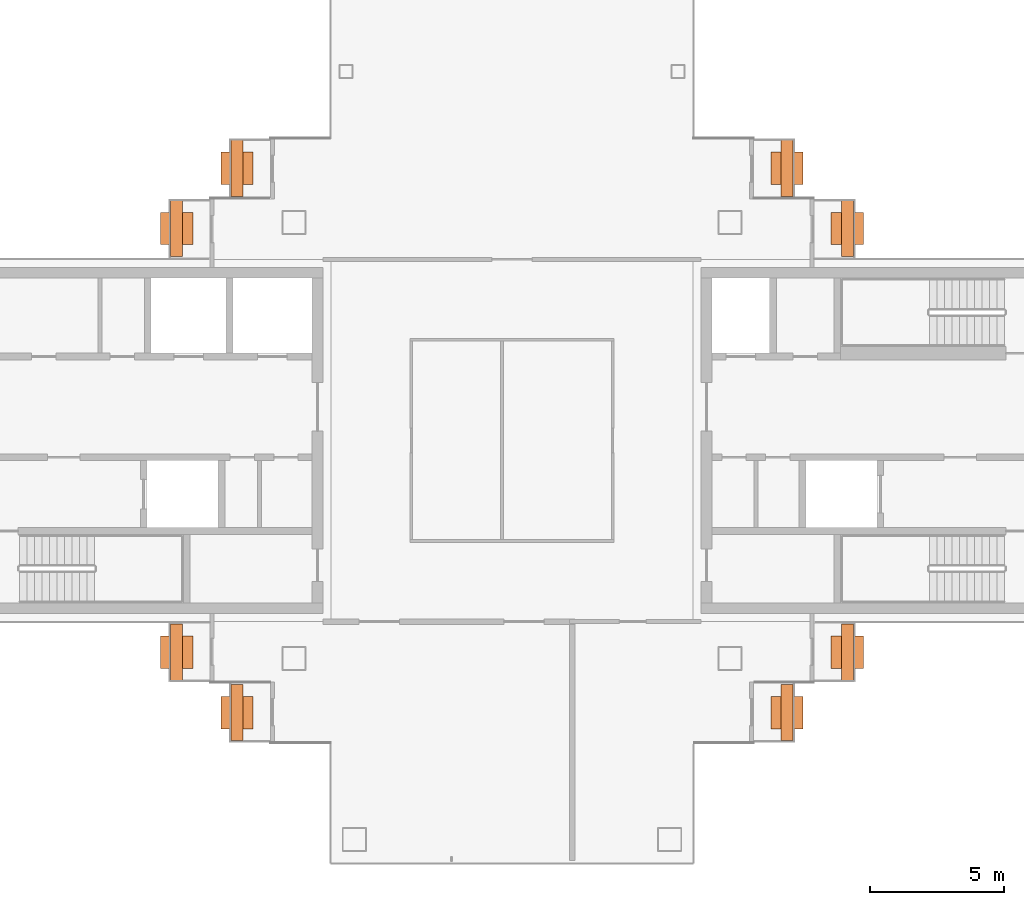
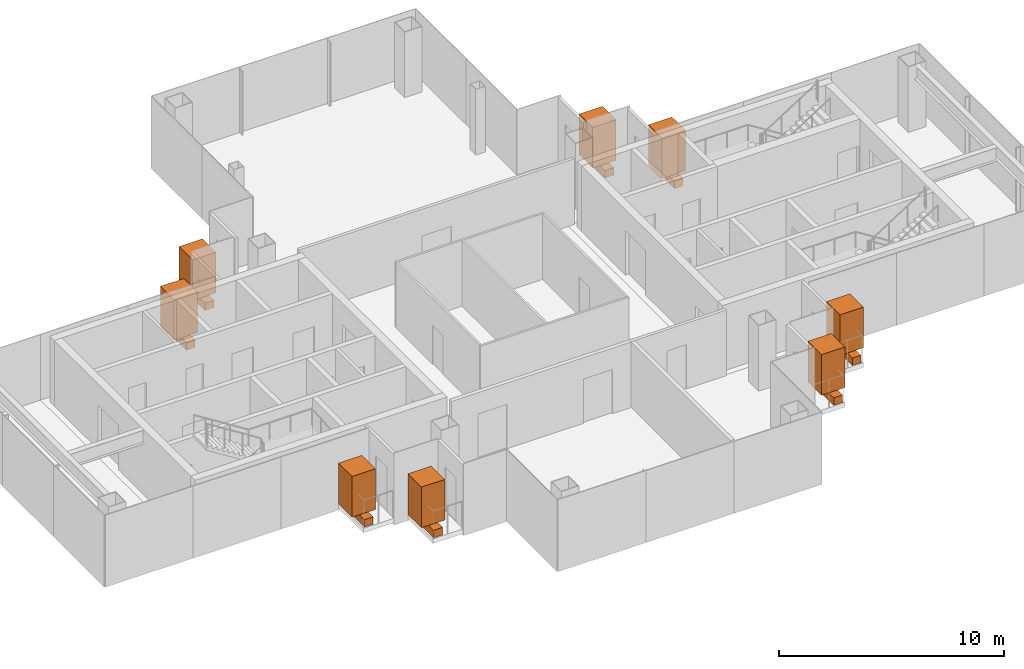
# One storey, part 16 of 16: 8 geographic elements, 8 proxies.
"""IFC4 building model written with IfcOpenShell, lengths in metres."""

from ifc_helpers import new_model, si_unit, direction, frame, origin, origin_2d, place, context, subcontext, project, spatial, rectangle, extrude, material, type_object, element, save


model = new_model("IFC4")

# Units and contexts
model_context = context("Model", 3, precision=1e-05, world=origin(), true_north=direction((0.0, 1.0)))
body_context = subcontext(model_context, "Body", "Model", "MODEL_VIEW")
ifc_project = project(units=[si_unit("LENGTHUNIT", "METRE"), si_unit("AREAUNIT", "SQUARE_METRE"), si_unit("VOLUMEUNIT", "CUBIC_METRE"), si_unit("PLANEANGLEUNIT", "RADIAN"), si_unit("MASSUNIT", "GRAM", prefix="KILO")], contexts=[model_context])

# Site, building, storey
site_placement = place(None, origin())
site = spatial("IfcSite", under=ifc_project, at=site_placement, CompositionType="ELEMENT")
building_placement = place(site_placement, origin())
building = spatial("IfcBuilding", under=site, at=building_placement, Name="Shamsa Quay Exchange Towers", CompositionType="ELEMENT")
storey_placement = place(building_placement, frame((0.0, 0.0, 242.10009765625)))
storey = spatial("IfcBuildingStorey", under=building, at=storey_placement, Name="L58", CompositionType="ELEMENT", Elevation=242.10009765625)

# Proxies
ifc_material_1 = material(Name="Reinforced concrete C30/37, black glass-fibre faced", Category="concrete")
building_element_proxy_type = type_object("IfcBuildingElementProxyType", Name="BALCONY PLANTER", PredefinedType="USERDEFINED", material=ifc_material_1)
for number, where, z_axis, x_axis, name in (
    (1, (23.5048828125, 10.14404296875, 0.0), (0.0, 0.0, 1.0), (0.0, -1.0, 0.0), "PLANTER T2-PKEN L58"),
    (2, (21.2548828125, 7.89404296875, 0.0), (0.0, 0.0, 1.0), (0.0, -1.0, 0.0), "PLANTER T2-PKEN L58"),
    (3, (43.9951171875, 10.14404296875, 0.0), (0.0, 0.0, 1.0), (0.0, 1.0, 0.0), "PLANTER T2-PKES L58"),
    (4, (46.2451171875, 7.89404296875, 0.0), (0.0, 0.0, 1.0), (0.0, 1.0, 0.0), "PLANTER T2-PKES L58"),
    (5, (21.2548828125, -7.89404296875, 0.0), (0.0, 0.0, 1.0), (0.0, -1.0, 0.0), "PLANTER T2-PKWN L58"),
    (6, (23.5048828125, -10.14404296875, 0.0), (0.0, 0.0, 1.0), (0.0, -1.0, 0.0), "PLANTER T2-PKWN L58"),
    (7, (43.9951171875, -10.14404296875, 0.0), (0.0, 0.0, 1.0), (0.0, 1.0, 0.0), "PLANTER T2-PKWS L58"),
    (8, (46.2451171875, -7.89404296875, 0.0), (0.0, 0.0, 1.0), (0.0, 1.0, 0.0), "PLANTER T2-PKWS L58"),
):
    element("IfcBuildingElementProxy", number, at=place(storey_placement, frame(where, z_axis=z_axis, x_axis=x_axis)), inside=storey, type_object=building_element_proxy_type, Name=name, ObjectType="PLANTER", PredefinedType="USERDEFINED", context=body_context, shape_type="SweptSolid", body=[
        extrude(rectangle(XDim=2.092041015625, YDim=0.449951171875, at=origin_2d()), origin(), (0.0, 0.0, 1.0), 0.39990234375),
    ])

# Geographic elements
ifc_material_2 = material(Name="Planting")
geographic_element_type = type_object("IfcGeographicElementType", Name="BALCONY TREE", PredefinedType="USERDEFINED", material=ifc_material_2)
for number, where, z_axis, x_axis, name in (
    (9, (23.5048828125, 10.14404296875, 0.39990234375), (0.0, 0.0, 1.0), (0.0, -1.0, 0.0), "TREE T2-PKEN L58"),
    (10, (21.2548828125, 7.89404296875, 0.39990234375), (0.0, 0.0, 1.0), (0.0, -1.0, 0.0), "TREE T2-PKEN L58"),
    (11, (43.9951171875, 10.14404296875, 0.39990234375), (0.0, 0.0, 1.0), (0.0, 1.0, 0.0), "TREE T2-PKES L58"),
    (12, (46.2451171875, 7.89404296875, 0.39990234375), (0.0, 0.0, 1.0), (0.0, 1.0, 0.0), "TREE T2-PKES L58"),
    (13, (21.2548828125, -7.89404296875, 0.39990234375), (0.0, 0.0, 1.0), (0.0, -1.0, 0.0), "TREE T2-PKWN L58"),
    (14, (23.5048828125, -10.14404296875, 0.39990234375), (0.0, 0.0, 1.0), (0.0, -1.0, 0.0), "TREE T2-PKWN L58"),
    (15, (43.9951171875, -10.14404296875, 0.39990234375), (0.0, 0.0, 1.0), (0.0, 1.0, 0.0), "TREE T2-PKWS L58"),
    (16, (46.2451171875, -7.89404296875, 0.39990234375), (0.0, 0.0, 1.0), (0.0, 1.0, 0.0), "TREE T2-PKWS L58"),
):
    element("IfcGeographicElement", number, at=place(storey_placement, frame(where, z_axis=z_axis, x_axis=x_axis)), inside=storey, type_object=geographic_element_type, Name=name, ObjectType="TREE", PredefinedType="USERDEFINED", context=body_context, shape_type="SweptSolid", body=[
        extrude(rectangle(XDim=1.199951171875, YDim=1.199951171875, at=origin_2d()), origin(), (0.0, 0.0, 1.0), 2.199951171875),
    ])

save(model, "model.ifc")
